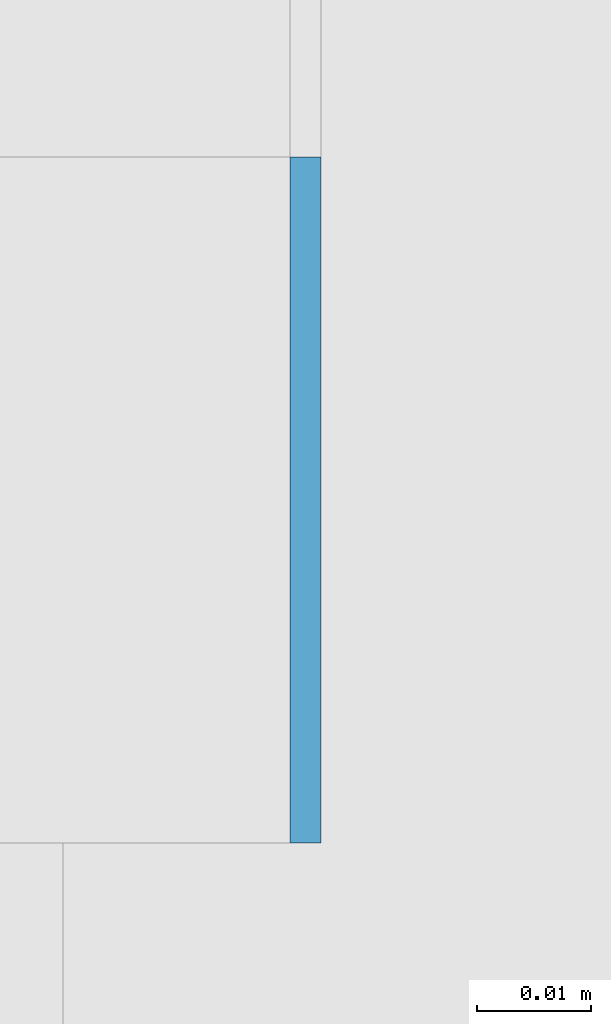
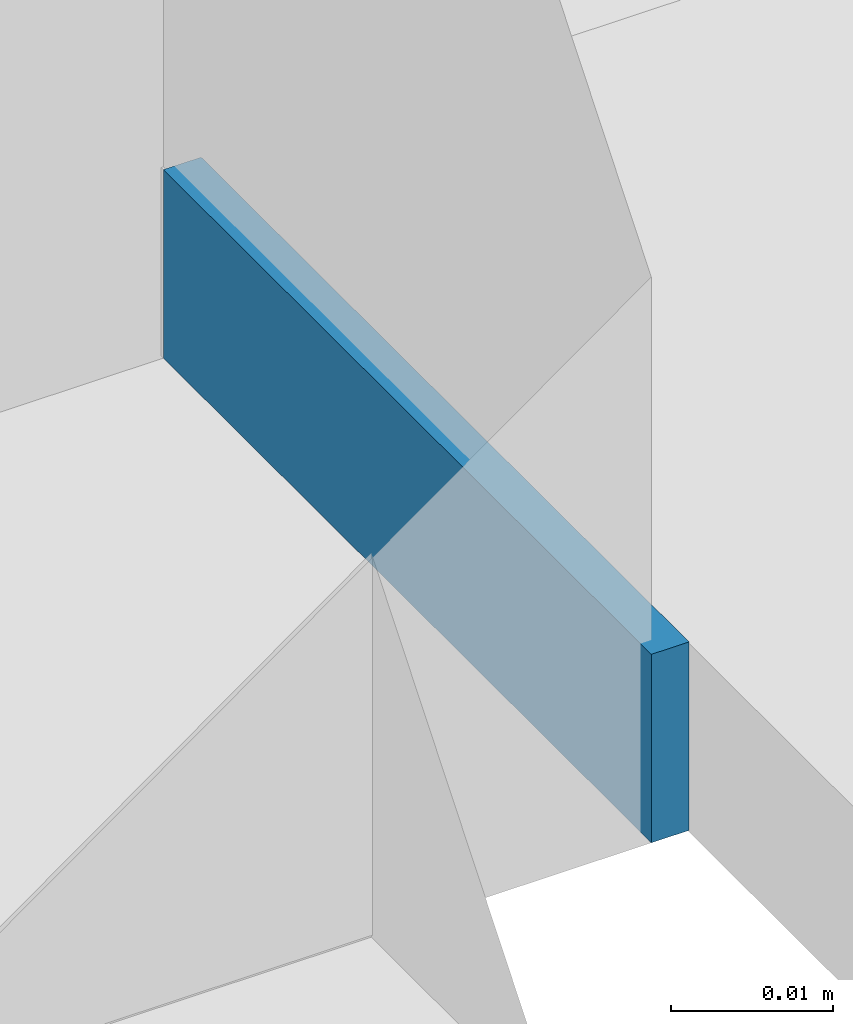
# One storey, part 316 of 646: 1 discrete accessory.
"""IFC4 building model written with IfcOpenShell, lengths in metres."""

from ifc_helpers import new_model, si_unit, direction, frame, origin, origin_2d, place, context, subcontext, project, spatial, rectangle, extrude, material, type_object, element, save


model = new_model("IFC4")

# Units and contexts
model_context = context("Model", 3, precision=1e-05, world=origin(), true_north=direction((0.0, 1.0)))
body_context = subcontext(model_context, "Body", "Model", "MODEL_VIEW")
ifc_project = project(units=[si_unit("LENGTHUNIT", "METRE"), si_unit("AREAUNIT", "SQUARE_METRE"), si_unit("VOLUMEUNIT", "CUBIC_METRE"), si_unit("PLANEANGLEUNIT", "RADIAN"), si_unit("MASSUNIT", "GRAM", prefix="KILO")], contexts=[model_context])

# Site, building, storey
site_placement = place(None, origin())
site = spatial("IfcSite", under=ifc_project, at=site_placement, CompositionType="ELEMENT")
building_placement = place(site_placement, origin())
building = spatial("IfcBuilding", under=site, at=building_placement, Name="Silverbay Arena", CompositionType="ELEMENT")
storey_placement = place(building_placement, frame((0.0, 0.0, 33.5)))
storey = spatial("IfcBuildingStorey", under=building, at=storey_placement, Name="L05", CompositionType="ELEMENT", Elevation=33.5)

# Discrete accessory
ifc_material = material(Name="Steel S355", Category="steel")
discrete_accessory_type = type_object("IfcDiscreteAccessoryType", Name="Steel bracket plate", PredefinedType="BRACKET", material=ifc_material)
discrete_accessory_placement = place(storey_placement, frame((53.871337890625, 71.969970703125, 4.0), z_axis=(0.0, 0.0, 1.0), x_axis=(1.0, 0.0, 0.0)))
element("IfcDiscreteAccessory", 1, at=discrete_accessory_placement, inside=storey, type_object=discrete_accessory_type, Name="Curtain wall packing plate", PredefinedType="BRACKET", context=body_context, shape_type="SweptSolid", body=[
    extrude(rectangle(XDim=0.002685546875, YDim=0.06005859375, at=origin_2d()), origin(), (0.0, 0.0, 1.0), 0.01416015625),
])

save(model, "model.ifc")
